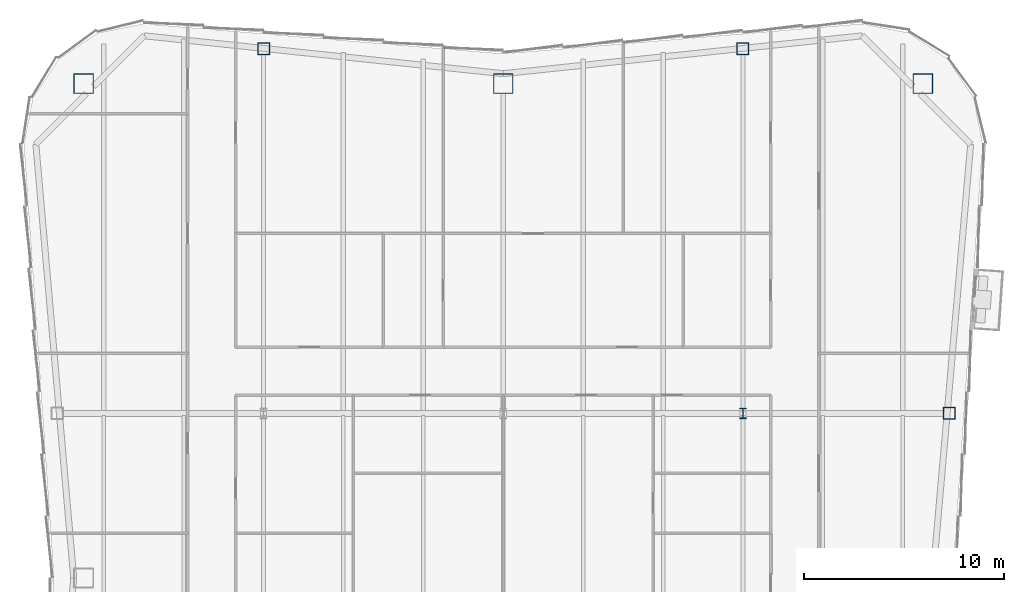
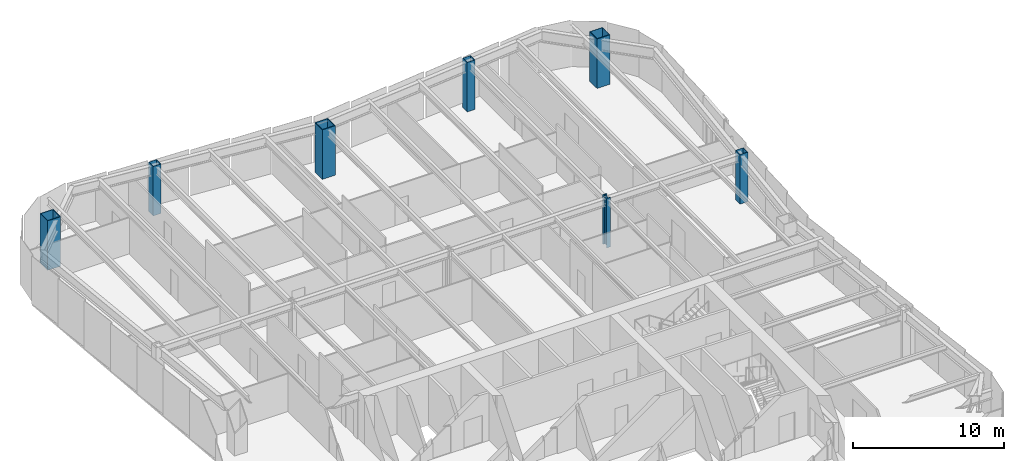
# One storey, part 2 of 11: 7 columns.
"""IFC4 building model written with IfcOpenShell, lengths in metres."""

from ifc_helpers import new_model, si_unit, direction, frame, origin, origin_2d, place, context, subcontext, project, spatial, hollow_rectangle, i_section, extrude, material, material_profile, profile_set, type_object, element, save


model = new_model("IFC4")

# Units and contexts
model_context = context("Model", 3, precision=1e-05, world=origin(), true_north=direction((0.0, 1.0)))
body_context = subcontext(model_context, "Body", "Model", "MODEL_VIEW")
ifc_project = project(units=[si_unit("LENGTHUNIT", "METRE"), si_unit("AREAUNIT", "SQUARE_METRE"), si_unit("VOLUMEUNIT", "CUBIC_METRE"), si_unit("PLANEANGLEUNIT", "RADIAN"), si_unit("MASSUNIT", "GRAM", prefix="KILO")], contexts=[model_context])

# Site, building, storey
site_placement = place(None, origin())
site = spatial("IfcSite", under=ifc_project, at=site_placement, CompositionType="ELEMENT")
building_placement = place(site_placement, origin())
building = spatial("IfcBuilding", under=site, at=building_placement, Name="Verdant Reach Tower", CompositionType="ELEMENT")
storey_placement = place(building_placement, frame((0.0, 0.0, 254.0)))
storey = spatial("IfcBuildingStorey", under=building, at=storey_placement, Name="L58", CompositionType="ELEMENT", Elevation=254.0)

# Columns
ifc_material = material(Name="Steel S460", Category="steel")
ifc_material_profile_1 = material_profile(ifc_material, i_section(OverallWidth=0.305908203125, OverallDepth=0.52392578125, WebThickness=0.012451171875, FlangeThickness=0.0400390625, FilletRadius=0.027099609375, at=origin_2d()), Name="HEM 500")
ifc_profile_set_1 = profile_set([ifc_material_profile_1], Name="Steel S460")
column_type_1 = type_object("IfcColumnType", Name="ST-COL-HEM500", PredefinedType="COLUMN", material=ifc_profile_set_1)
column_placement = place(storey_placement, frame((12.0, 49.5, 0.0), z_axis=(0.0, 0.0, 1.0), x_axis=(1.0, 0.0, 0.0)))
element("IfcColumn", 1, at=column_placement, inside=storey, type_object=column_type_1, Name="Interior column 3, L58", PredefinedType="COLUMN", context=body_context, shape_type="SweptSolid", body=[
    extrude(i_section(OverallWidth=0.305908203125, OverallDepth=0.52392578125, WebThickness=0.012451171875, FlangeThickness=0.0400390625, FilletRadius=0.027099609375, at=origin_2d()), origin(), (0.0, 0.0, 1.0), 4.0),
])
ifc_material_profile_2 = material_profile(ifc_material, hollow_rectangle(XDim=1.0, YDim=1.0, WallThickness=0.044921875, at=origin_2d()), Name="WB 1000x1000x45")
ifc_profile_set_2 = profile_set([ifc_material_profile_2], Name="Steel S460")
column_type_2 = type_object("IfcColumnType", Name="ST-COL-WB1000x1000x45", PredefinedType="COLUMN", material=ifc_profile_set_2)
for number, where, z_axis, x_axis, name in (
    (2, (-21.0, 66.0, 0.0), (0.0, 0.0, 1.0), (1.0, 0.0, 0.0), "Mega column north-west, L58"),
    (3, (0.0, 66.0, 0.0), (0.0, 0.0, 1.0), (1.0, 0.0, 0.0), "Mega column north, L58"),
    (4, (21.0, 66.0, 0.0), (0.0, 0.0, 1.0), (1.0, 0.0, 0.0), "Mega column north-east, L58"),
):
    element("IfcColumn", number, at=place(storey_placement, frame(where, z_axis=z_axis, x_axis=x_axis)), inside=storey, type_object=column_type_2, Name=name, PredefinedType="COLUMN", context=body_context, shape_type="SweptSolid", body=[
        extrude(hollow_rectangle(XDim=1.0, YDim=1.0, WallThickness=0.044921875, at=origin_2d()), origin(), (0.0, 0.0, 1.0), 4.0),
    ])
ifc_material_profile_3 = material_profile(ifc_material, hollow_rectangle(XDim=0.60009765625, YDim=0.60009765625, WallThickness=0.02490234375, at=origin_2d()), Name="WB 600x600x25")
ifc_profile_set_3 = profile_set([ifc_material_profile_3], Name="Steel S460")
column_type_3 = type_object("IfcColumnType", Name="ST-COL-WB600x600x25", PredefinedType="COLUMN", material=ifc_profile_set_3)
for number, where, z_axis, x_axis, name in (
    (5, (-12.0, 67.75, 0.0), (0.0, 0.0, 1.0), (1.0, 0.0, 0.0), "Perimeter column north 1, L58"),
    (6, (12.0, 67.75, 0.0), (0.0, 0.0, 1.0), (1.0, 0.0, 0.0), "Perimeter column north 2, L58"),
    (7, (22.319091796875, 49.5, 0.0), (0.0, 0.0, 1.0), (1.0, 0.0, 0.0), "Perimeter column east 2, L58"),
):
    element("IfcColumn", number, at=place(storey_placement, frame(where, z_axis=z_axis, x_axis=x_axis)), inside=storey, type_object=column_type_3, Name=name, PredefinedType="COLUMN", context=body_context, shape_type="SweptSolid", body=[
        extrude(hollow_rectangle(XDim=0.60009765625, YDim=0.60009765625, WallThickness=0.02490234375, at=origin_2d()), origin(), (0.0, 0.0, 1.0), 4.0),
    ])

save(model, "model.ifc")
